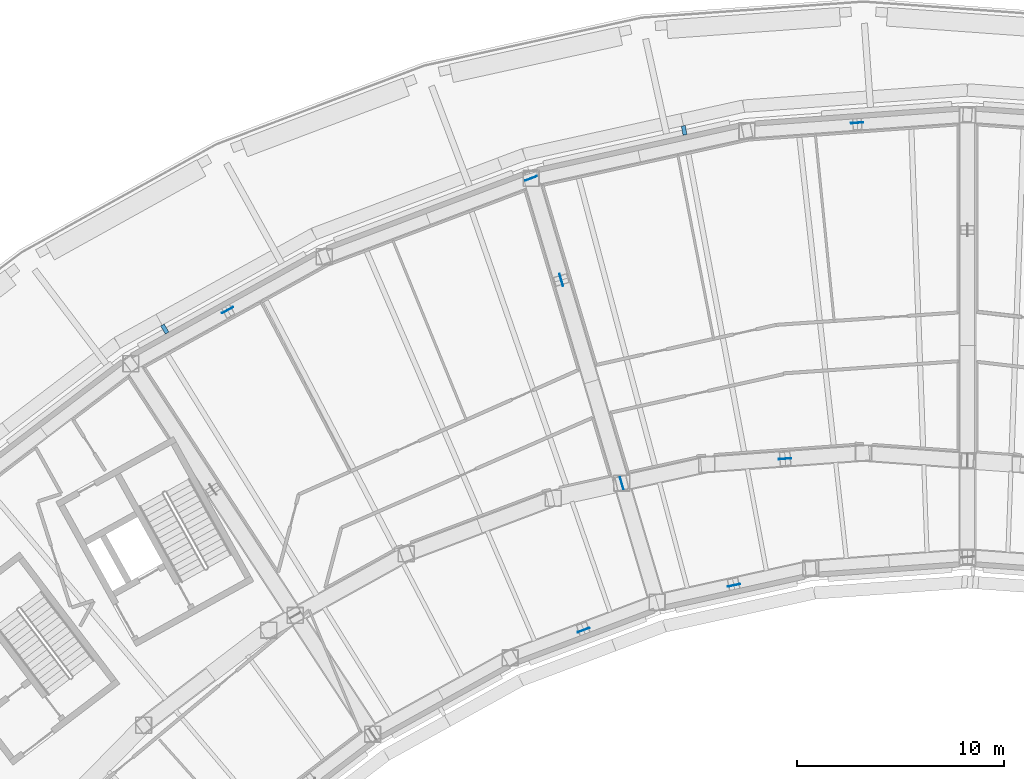
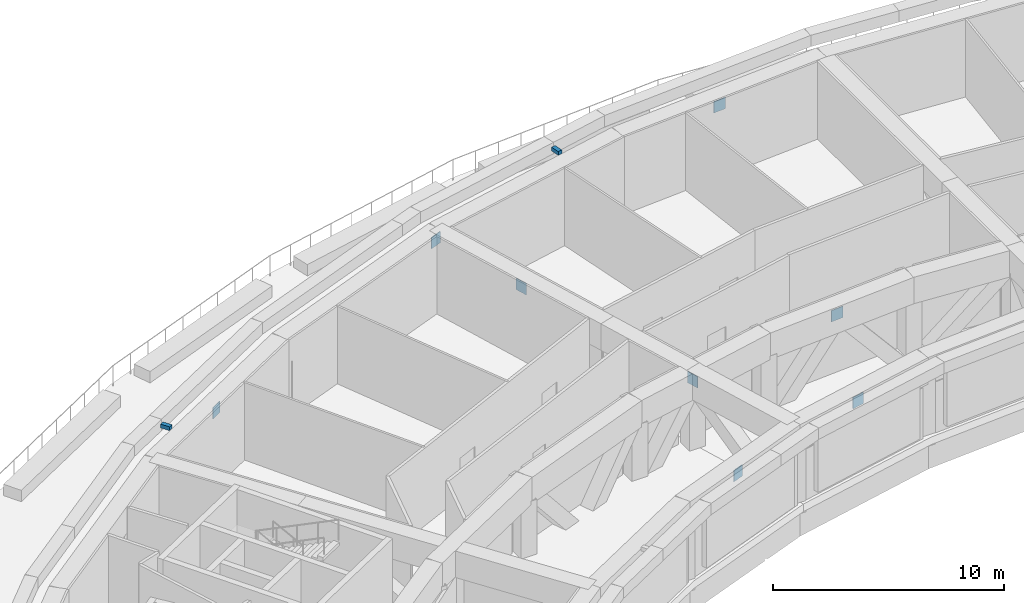
# One storey, part 16 of 24: 10 discrete accessories.
"""IFC4 building model written with IfcOpenShell, lengths in metres."""

import ifcopenshell
import ifcopenshell.guid

model = None  # the IFC model being written
_history = None  # IfcOwnerHistory: only IFC2X3 demands one
_inside = {}  # id of a spatial element -> (the spatial element, [elements in it])
_under = {}  # id of a project, library or spatial element -> (it, [spatial elements below it])
_declared = {}  # id of a project -> (the project, [libraries it declares])
_typed = {}  # id of a type object -> (the type object, [elements of that type])
_made_of = {}  # id of a material, layer set ... -> (it, [elements and type objects made of it])


def new_model(schema):
    """Start an empty IFC model of exactly this schema.

    Asked for "IFC4X3", IfcOpenShell would pick the latest addendum, in which some entities
    have other attributes; the version numbers below select the first issue.
    IFC2X3 requires an IfcOwnerHistory on every rooted entity: one is made here for all.
    """
    global model, _history
    if schema == "IFC4X3":
        model = ifcopenshell.file(schema_version=(4, 3, 0, 0))
    else:
        model = ifcopenshell.file(schema=schema)
    _inside.clear()
    _under.clear()
    _declared.clear()
    _typed.clear()
    _made_of.clear()
    _history = None
    if model.schema == "IFC2X3":
        org = make("IfcOrganization", Name="unknown")
        user = make(
            "IfcPersonAndOrganization",
            ThePerson=make("IfcPerson", FamilyName="unknown"),
            TheOrganization=org,
        )
        app = make(
            "IfcApplication",
            ApplicationDeveloper=org,
            Version="unknown",
            ApplicationFullName="unknown",
            ApplicationIdentifier="unknown",
        )
        _history = make(
            "IfcOwnerHistory",
            OwningUser=user,
            OwningApplication=app,
            ChangeAction="ADDED",
            CreationDate=0,
        )
    return model


def make(cls, **values):
    """One entity of the class cls with the attributes given. An attribute that is None is left unset."""
    return model.create_entity(
        cls, **{name: value for name, value in values.items() if value is not None}
    )


def rooted(cls, **values):
    """An entity with a GlobalId (a new one), such as an element, a storey or a relation."""
    return make(cls, GlobalId=ifcopenshell.guid.new(), OwnerHistory=_history, **values)


def si_unit(unit_type, name, prefix=None):
    """IfcSIUnit, for example si_unit("LENGTHUNIT", "METRE", prefix="MILLI")."""
    return make("IfcSIUnit", UnitType=unit_type, Prefix=prefix, Name=name)


def assignment(units):
    """IfcUnitAssignment: the units of a project."""
    return None if units is None else make("IfcUnitAssignment", Units=units)


def point(xyz):
    """IfcCartesianPoint."""
    return None if xyz is None else make("IfcCartesianPoint", Coordinates=xyz)


def direction(xyz):
    """IfcDirection."""
    return None if xyz is None else make("IfcDirection", DirectionRatios=xyz)


def frame(location, z_axis=None, x_axis=None):
    """IfcAxis2Placement3D, a coordinate frame: its origin and axes. An axis left out is left unset."""
    return make(
        "IfcAxis2Placement3D",
        Location=point(location),
        Axis=direction(z_axis),
        RefDirection=direction(x_axis),
    )


def frame_2d(location, x_axis=None):
    """IfcAxis2Placement2D, a coordinate frame in the plane: its origin and x axis."""
    return make(
        "IfcAxis2Placement2D", Location=point(location), RefDirection=direction(x_axis)
    )


def origin():
    """The frame at (0, 0, 0) with its axes left unset."""
    return frame((0.0, 0.0, 0.0))


def origin_2d():
    """The frame at (0, 0) in the plane with its x axis left unset."""
    return frame_2d((0.0, 0.0))


def place(relative_to, where):
    """IfcLocalPlacement: puts the frame where relative to a parent placement (None: the world)."""
    return make(
        "IfcLocalPlacement", PlacementRelTo=relative_to, RelativePlacement=where
    )


def context(
    kind, dimensions, precision=None, world=None, true_north=None, identifier=None
):
    """IfcGeometricRepresentationContext, for example the 3D "Model" context."""
    return make(
        "IfcGeometricRepresentationContext",
        ContextIdentifier=identifier,
        ContextType=kind,
        CoordinateSpaceDimension=dimensions,
        Precision=precision,
        WorldCoordinateSystem=world,
        TrueNorth=true_north,
    )


def subcontext(parent, identifier, kind, view, scale=None):
    """IfcGeometricRepresentationSubContext, for example "Body" below "Model"."""
    return make(
        "IfcGeometricRepresentationSubContext",
        ContextIdentifier=identifier,
        ContextType=kind,
        ParentContext=parent,
        TargetScale=scale,
        TargetView=view,
    )


def project(units=None, contexts=None):
    """IfcProject with its units and contexts."""
    return rooted(
        "IfcProject",
        Name="project",
        RepresentationContexts=contexts,
        UnitsInContext=assignment(units),
    )


def spatial(cls, under=None, at=None, **own):
    """A site, building, storey or space (cls), placed at a placement, below another one or the project."""
    s = rooted(cls, ObjectPlacement=at, **own)
    if under is not None:
        _under.setdefault(under.id(), (under, []))[1].append(s)
    return s


def profile(cls, at=None, kind="AREA", **sizes):
    """A parametric profile (cls). Its sizes go by their IFC names, for example OverallWidth=200.0."""
    return make(cls, ProfileType=kind, Position=at, **sizes)


def rectangle(**sizes):
    """IfcRectangleProfileDef."""
    return profile("IfcRectangleProfileDef", **sizes)


def extrude(swept, where, along, depth):
    """IfcExtrudedAreaSolid: the profile swept, set in the frame where, extruded along a direction by depth."""
    return make(
        "IfcExtrudedAreaSolid",
        SweptArea=swept,
        Position=where,
        ExtrudedDirection=direction(along),
        Depth=depth,
    )


def shape(context_of_items, identifier, shape_type, items):
    """IfcShapeRepresentation: the items that make up one representation, for example the "Body"."""
    return make(
        "IfcShapeRepresentation",
        ContextOfItems=context_of_items,
        RepresentationIdentifier=identifier,
        RepresentationType=shape_type,
        Items=items,
    )


def material(Name=None, Category=None):
    """IfcMaterial."""
    return make("IfcMaterial", Name=Name, Category=Category)


def made_of(thing, what):
    """Note that an element or type object is made of a material, layer set ...; save() writes the relation."""
    if what is not None:
        _made_of.setdefault(what.id(), (what, []))[1].append(thing)
    return thing


def type_object(cls, material=None, **own):
    """A type object (cls), such as IfcWallType, which elements share."""
    return made_of(rooted(cls, **own), material)


def element(
    cls,
    number,
    at=None,
    inside=None,
    cuts=None,
    type_object=None,
    material=None,
    context=None,
    identifier="Body",
    shape_type=None,
    held_by="IfcProductDefinitionShape",
    body=None,
    shapes=None,
    **own,
):
    """One element of the class cls, such as IfcWall. Its Tag is "e" and its number.

    at: its placement. inside: the storey or other place that contains it. cuts: it is an
    opening in that element (IfcRelVoidsElement). A single representation is given by context,
    identifier, shape_type and body (its items); several are given by shapes. held_by: the class
    of the entity that holds the representations. save() writes the other relations.
    """
    e = rooted(cls, Tag="e%d" % number, ObjectPlacement=at, **own)
    if body is not None:
        shapes = [shape(context, identifier, shape_type, body)]
    if shapes is not None:
        e.Representation = make(held_by, Representations=shapes)
    if inside is not None:
        _inside.setdefault(inside.id(), (inside, []))[1].append(e)
    if cuts is not None:
        rooted(
            "IfcRelVoidsElement", RelatingBuildingElement=cuts, RelatedOpeningElement=e
        )
    if type_object is not None:
        _typed.setdefault(type_object.id(), (type_object, []))[1].append(e)
    return made_of(e, material)


def aggregate(whole, parts):
    """IfcRelAggregates: a whole, such as a stair, and the parts it consists of."""
    return rooted("IfcRelAggregates", RelatingObject=whole, RelatedObjects=parts)


def save(model, path):
    """Write the relations noted so far, then the file.

    IfcRelAggregates (storeys below a building ...), IfcRelContainedInSpatialStructure (elements
    in a storey), IfcRelDefinesByType, IfcRelAssociatesMaterial and IfcRelDeclares: one each for
    every whole, place, type object, material and project.
    """
    for whole, parts in _under.values():
        aggregate(whole, parts)
    for where, things in _inside.values():
        rooted(
            "IfcRelContainedInSpatialStructure",
            RelatedElements=things,
            RelatingStructure=where,
        )
    for kind, things in _typed.values():
        rooted("IfcRelDefinesByType", RelatedObjects=things, RelatingType=kind)
    for what, things in _made_of.values():
        rooted("IfcRelAssociatesMaterial", RelatedObjects=things, RelatingMaterial=what)
    for by, libraries in _declared.values():
        rooted("IfcRelDeclares", RelatingContext=by, RelatedDefinitions=libraries)
    model.write(path)


model = new_model("IFC4")

# Units and contexts
model_context = context("Model", 3, precision=1e-05, world=origin(), true_north=direction((0.0, 1.0)))
body_context = subcontext(model_context, "Body", "Model", "MODEL_VIEW")
ifc_project = project(units=[si_unit("LENGTHUNIT", "METRE"), si_unit("AREAUNIT", "SQUARE_METRE"), si_unit("VOLUMEUNIT", "CUBIC_METRE"), si_unit("PLANEANGLEUNIT", "RADIAN"), si_unit("MASSUNIT", "GRAM", prefix="KILO")], contexts=[model_context])

# Site, building, storey
site_placement = place(None, origin())
site = spatial("IfcSite", under=ifc_project, at=site_placement, CompositionType="ELEMENT")
building_placement = place(site_placement, origin())
building = spatial("IfcBuilding", under=site, at=building_placement, Name="Tuul Gate Civic Tower", CompositionType="ELEMENT")
storey_placement = place(building_placement, frame((0.0, 0.0, 94.800048828125)))
storey = spatial("IfcBuildingStorey", under=building, at=storey_placement, Name="Plant and refuge floor 3", CompositionType="ELEMENT", Elevation=94.800048828125)

# Discrete accessories
ifc_material_1 = material(Name="Steel S355", Category="steel")
discrete_accessory_type_1 = type_object("IfcDiscreteAccessoryType", Name="Gusset plate", PredefinedType="BRACKET", material=ifc_material_1)
for number, where, z_axis, x_axis, name in (
    (1, (-6.8681640625, -4.10205078125, 3.103515625), (0.0, 0.0, 1.0), (-0.285212112775, 0.958464423297, 0.0), "Gusset plate"),
    (2, (-9.7880859375, 5.710693359375, 3.103271484375), (0.0, 0.0, 1.0), (-0.285212112775, 0.958464423297, 0.0), "Gusset plate"),
    (3, (4.50390625, 13.300537109375, 3.10302734375), (0.0, 0.0, 1.0), (0.997389783472, 0.072205400255, 0.0), "Gusset plate"),
    (4, (-25.904541015625, 4.251953125, 3.10302734375), (0.0, 0.0, 1.0), (0.874647197225, 0.484760023503, 0.0), "Gusset plate"),
    (5, (-11.248046875, 10.6171875, 3.10302734375), (0.0, 0.0, 1.0), (-0.935344056956, -0.35373930389, 0.0), "Gusset plate"),
    (6, (-1.449951171875, -9.034912109375, 3.103759765625), (0.0, 0.0, 1.0), (-0.97656368755, -0.215228632292, 0.0), "Gusset plate"),
    (7, (1.02197265625, -2.923583984375, 3.103759765625), (0.0, 0.0, 1.0), (-0.997381904937, -0.07231414595, 0.0), "Gusset plate"),
    (8, (-8.70751953125, -11.194580078125, 3.103759765625), (0.0, 0.0, 1.0), (-0.935367540469, -0.353677203444, 0.0), "Gusset plate"),
):
    element("IfcDiscreteAccessory", number, at=place(storey_placement, frame(where, z_axis=z_axis, x_axis=x_axis)), inside=storey, type_object=discrete_accessory_type_1, Name=name, PredefinedType="BRACKET", context=body_context, shape_type="SweptSolid", body=[
        extrude(rectangle(XDim=0.60009765625, YDim=0.030029296875, at=origin_2d()), origin(), (0.0, 0.0, 1.0), 0.60009765625),
    ])
ifc_material_2 = material(Name="Stainless steel", Category="steel")
discrete_accessory_type_2 = type_object("IfcDiscreteAccessoryType", Name="Screen bracket", PredefinedType="BRACKET", material=ifc_material_2)
discrete_accessory_1_placement = place(storey_placement, frame((-3.853515625, 12.9375, 4.0498046875), z_axis=(0.0, 0.0, 1.0), x_axis=(-0.183877581625, 0.982949151775, 0.0)))
element("IfcDiscreteAccessory", 9, at=discrete_accessory_1_placement, inside=storey, type_object=discrete_accessory_type_2, Name="Screen bracket 10", PredefinedType="BRACKET", context=body_context, shape_type="SweptSolid", body=[
    extrude(rectangle(XDim=0.4501953125, YDim=0.199951171875, at=origin_2d()), origin(), (0.0, 0.0, 1.0), 0.199951171875),
])
discrete_accessory_2_placement = place(storey_placement, frame((-28.938232421875, 3.34228515625, 4.0498046875), z_axis=(0.0, 0.0, 1.0), x_axis=(-0.520757845287, 0.853704437479, 0.0)))
element("IfcDiscreteAccessory", 10, at=discrete_accessory_2_placement, inside=storey, type_object=discrete_accessory_type_2, Name="Screen bracket 13", PredefinedType="BRACKET", context=body_context, shape_type="SweptSolid", body=[
    extrude(rectangle(XDim=0.450439453125, YDim=0.199951171875, at=origin_2d()), origin(), (0.0, 0.0, 1.0), 0.199951171875),
])

save(model, "model.ifc")
